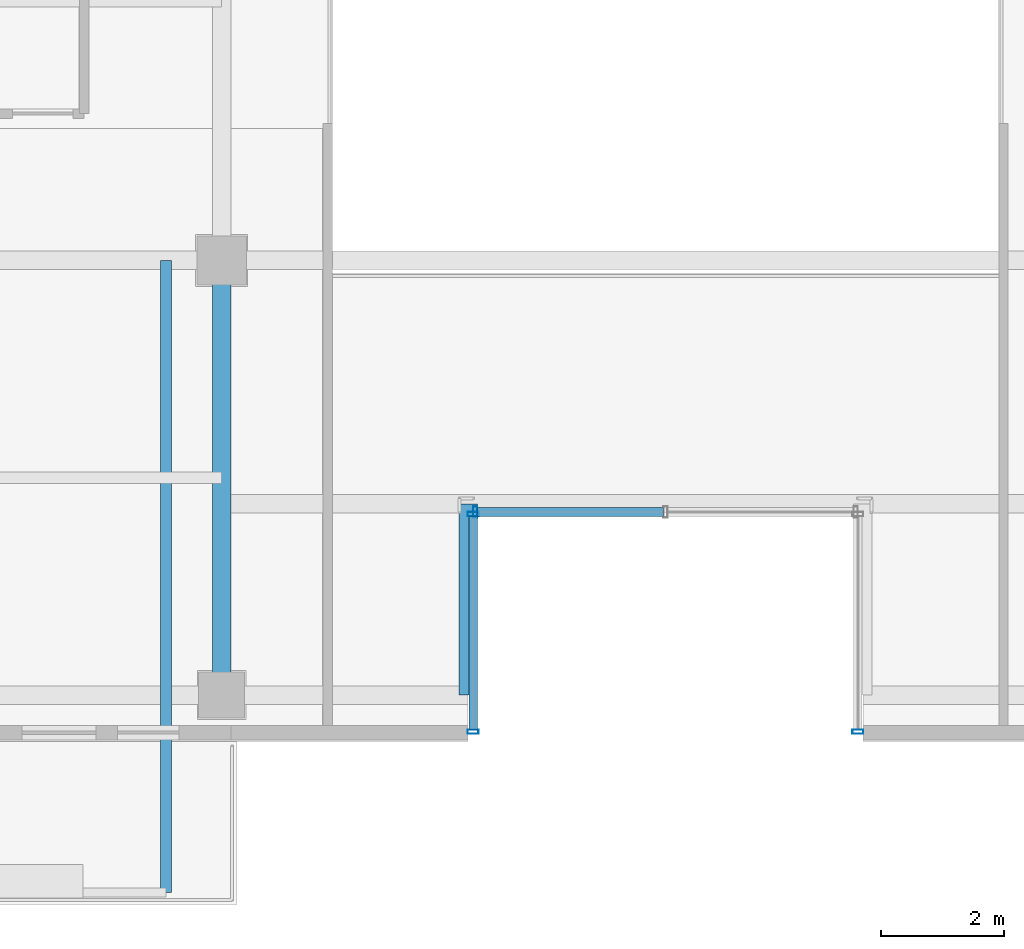
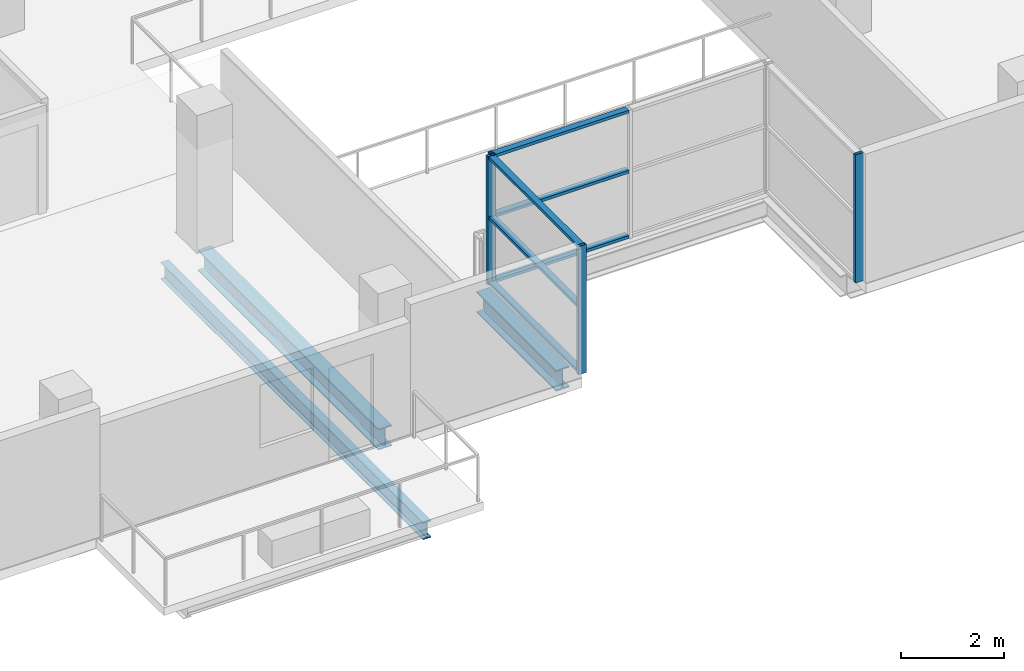
# One storey, part 2 of 22: 10 members, 3 beams, 3 elements without a shape of their own.
"""IFC4 building model written with IfcOpenShell, lengths in metres."""

from ifc_helpers import new_model, si_unit, direction, frame, origin, origin_2d, place, context, subcontext, project, spatial, hollow_rectangle, i_section, extrude, source, transform, mapped, material, layer, layer_set, material_profile, profile_set, type_object, element, aggregate, save


model = new_model("IFC4")

# Units and contexts
model_context = context("Model", 3, precision=1e-05, world=origin(), true_north=direction((0.0, 1.0)))
body_context = subcontext(model_context, "Body", "Model", "MODEL_VIEW")
ifc_project = project(units=[si_unit("LENGTHUNIT", "METRE"), si_unit("AREAUNIT", "SQUARE_METRE"), si_unit("VOLUMEUNIT", "CUBIC_METRE"), si_unit("PLANEANGLEUNIT", "RADIAN"), si_unit("MASSUNIT", "GRAM", prefix="KILO")], contexts=[model_context])

# Site, building, storey
site_placement = place(None, origin())
site = spatial("IfcSite", under=ifc_project, at=site_placement, CompositionType="ELEMENT")
building_placement = place(site_placement, origin())
building = spatial("IfcBuilding", under=site, at=building_placement, Name="Zarnakvel Exchange Tower", CompositionType="ELEMENT")
storey_placement = place(building_placement, frame((0.0, 0.0, 192.39990234375)))
storey = spatial("IfcBuildingStorey", under=building, at=storey_placement, Name="L54", CompositionType="ELEMENT", Elevation=192.39990234375)

# Beams
ifc_material_1 = material(Name="Steel S355", Category="steel")
ifc_material_profile_1 = material_profile(ifc_material_1, i_section(OverallWidth=0.179931640625, OverallDepth=0.39990234375, WebThickness=0.008544921875, FlangeThickness=0.013427734375, FilletRadius=0.02099609375, at=origin_2d()))
ifc_profile_set_1 = profile_set([ifc_material_profile_1], Name="Steel S355")
beam_type_1 = type_object("IfcBeamType", Name="B-06", PredefinedType="JOIST", material=ifc_profile_set_1)
beam_1_placement = place(storey_placement, frame((-8.10009765625, -9.60009765625, -0.4248046875), z_axis=(0.0, -1.0, 0.0), x_axis=(1.0, 0.0, 0.0)))
element("IfcBeam", 1, at=beam_1_placement, inside=storey, type_object=beam_type_1, Name="L54 Continuous Back-Spanned Balcony Beam E", PredefinedType="JOIST", context=body_context, shape_type="SweptSolid", body=[
    extrude(i_section(OverallWidth=0.179931640625, OverallDepth=0.39990234375, WebThickness=0.008544921875, FlangeThickness=0.013427734375, FilletRadius=0.02099609375, at=origin_2d()), origin(), (0.0, 0.0, 1.0), 10.25),
])
ifc_material_profile_2 = material_profile(ifc_material_1, i_section(OverallWidth=0.300048828125, OverallDepth=0.5, WebThickness=0.014404296875, FlangeThickness=0.028076171875, FilletRadius=0.027099609375, at=origin_2d()))
ifc_profile_set_2 = profile_set([ifc_material_profile_2], Name="Steel S355")
beam_type_2 = type_object("IfcBeamType", Name="G-06", PredefinedType="BEAM", material=ifc_profile_set_2)
beam_2_placement = place(storey_placement, frame((-3.199951171875, -16.64990234375, -0.474853515625), z_axis=(0.0, 1.0, 0.0), x_axis=(-1.0, 0.0, 0.0)))
element("IfcBeam", 2, at=beam_2_placement, inside=storey, type_object=beam_type_2, Name="L54 South Slot West Cheek Beam", PredefinedType="BEAM", context=body_context, shape_type="SweptSolid", body=[
    extrude(i_section(OverallWidth=0.300048828125, OverallDepth=0.5, WebThickness=0.014404296875, FlangeThickness=0.028076171875, FilletRadius=0.027099609375, at=origin_2d()), origin(), (0.0, 0.0, 1.0), 3.099853515625),
])
beam_3_placement = place(storey_placement, frame((-7.199951171875, -16.64990234375, -0.474853515625), z_axis=(0.0, 1.0, 0.0), x_axis=(-1.0, 0.0, 0.0)))
element("IfcBeam", 3, at=beam_3_placement, inside=storey, type_object=beam_type_2, Name="L54 Tower N-S Frame Beam", PredefinedType="BEAM", context=body_context, shape_type="SweptSolid", body=[
    extrude(i_section(OverallWidth=0.300048828125, OverallDepth=0.5, WebThickness=0.014404296875, FlangeThickness=0.028076171875, FilletRadius=0.027099609375, at=origin_2d()), origin(), (0.0, 0.0, 1.0), 7.0498046875),
])

# Curtain wall, members
ifc_material_2 = material(Name="Architectural Bronze Anodised Aluminium", Category="aluminium")
ifc_layer = layer(ifc_material_2, 0.179931640625)
ifc_layer_set = layer_set([ifc_layer], Name="Architectural Bronze Anodised Aluminium")
curtain_wall_type = type_object("IfcCurtainWallType", Name="CW-05", PredefinedType="NOTDEFINED", material=ifc_layer_set)
curtain_wall_1_placement = place(storey_placement, origin())
curtain_wall_1 = element("IfcCurtainWall", 4, at=curtain_wall_1_placement, inside=storey, type_object=curtain_wall_type, Name="L54 Curtain Wall CW-L54-SLW (CW-05)", PredefinedType="NOTDEFINED")
ifc_material_profile_3 = material_profile(ifc_material_2, hollow_rectangle(XDim=0.179931640625, YDim=0.070068359375, WallThickness=0.00390625, at=origin_2d()))
ifc_profile_set_3 = profile_set([ifc_material_profile_3], Name="Architectural Bronze Anodised Aluminium")
member_type_1 = type_object("IfcMemberType", Name="CWM-05", PredefinedType="MULLION", material=ifc_profile_set_3)
shared_shape_1 = source(origin(), body_context, "Body", "SweptSolid", [
    extrude(hollow_rectangle(XDim=0.179931640625, YDim=0.070068359375, WallThickness=0.00390625, at=origin_2d()), origin(), (0.0, 0.0, 1.0), 3.05517578125),
])
member_1_placement = place(storey_placement, frame((-3.1201171875, -17.2451171875, 0.0), z_axis=(0.0, 0.0, 1.0), x_axis=(-1.0, 0.0, 0.0)))
member_1 = element("IfcMember", 5, at=member_1_placement, type_object=member_type_1, Name="CW-05 mullion 1", PredefinedType="MULLION", context=body_context, shape_type="MappedRepresentation", body=[
    mapped(shared_shape_1, transform((0.0, 0.0, 0.0), x_axis=(1.0, 0.0, 0.0), y_axis=(0.0, 1.0, 0.0), z_axis=(0.0, 0.0, 1.0), scale=1.0)),
])
member_2_placement = place(storey_placement, frame((-3.1201171875, -13.715087890625, 0.0), z_axis=(0.0, 0.0, 1.0), x_axis=(-1.0, 0.0, 0.0)))
member_2 = element("IfcMember", 6, at=member_2_placement, type_object=member_type_1, Name="CW-05 mullion 2", PredefinedType="MULLION", context=body_context, shape_type="MappedRepresentation", body=[
    mapped(shared_shape_1, transform((0.0, 0.0, 0.0), x_axis=(1.0, 0.0, 0.0), y_axis=(0.0, 1.0, 0.0), z_axis=(0.0, 0.0, 1.0), scale=1.0)),
])

# Curtain wall, member
curtain_wall_2_placement = place(storey_placement, origin())
curtain_wall_2 = element("IfcCurtainWall", 7, at=curtain_wall_2_placement, inside=storey, type_object=curtain_wall_type, Name="L54 Curtain Wall CW-L54-SLB (CW-05)", PredefinedType="NOTDEFINED")
member_3_placement = place(storey_placement, frame((-3.0849609375, -13.679931640625, 0.0), z_axis=(0.0, 0.0, 1.0), x_axis=(0.0, 1.0, 0.0)))
member_3 = element("IfcMember", 8, at=member_3_placement, type_object=member_type_1, Name="CW-05 mullion 1", PredefinedType="MULLION", context=body_context, shape_type="MappedRepresentation", body=[
    mapped(shared_shape_1, transform((0.0, 0.0, 0.0), x_axis=(1.0, 0.0, 0.0), y_axis=(0.0, 1.0, 0.0), z_axis=(0.0, 0.0, 1.0), scale=1.0)),
])

curtain_wall_3_placement = place(storey_placement, origin())
curtain_wall_3 = element("IfcCurtainWall", 9, at=curtain_wall_3_placement, inside=storey, type_object=curtain_wall_type, Name="L54 Curtain Wall CW-L54-SLE (CW-05)", PredefinedType="NOTDEFINED")
member_4_placement = place(storey_placement, frame((3.1201171875, -17.2451171875, 0.0), z_axis=(0.0, 0.0, 1.0), x_axis=(1.0, 0.0, 0.0)))
member_4 = element("IfcMember", 10, at=member_4_placement, type_object=member_type_1, Name="CW-05 mullion 2", PredefinedType="MULLION", context=body_context, shape_type="MappedRepresentation", body=[
    mapped(shared_shape_1, transform((0.0, 0.0, 0.0), x_axis=(1.0, 0.0, 0.0), y_axis=(0.0, 1.0, 0.0), z_axis=(0.0, 0.0, 1.0), scale=1.0)),
])
aggregate(curtain_wall_3, [member_4])

# Member
ifc_material_profile_4 = material_profile(ifc_material_2, hollow_rectangle(XDim=0.139892578125, YDim=0.070068359375, WallThickness=0.00390625, at=origin_2d()))
ifc_profile_set_4 = profile_set([ifc_material_profile_4], Name="Architectural Bronze Anodised Aluminium")
member_type_2 = type_object("IfcMemberType", Name="CWT-05", PredefinedType="USERDEFINED", material=ifc_profile_set_4)
shared_shape_2 = source(origin(), body_context, "Body", "SweptSolid", [
    extrude(hollow_rectangle(XDim=0.139892578125, YDim=0.070068359375, WallThickness=0.00390625, at=origin_2d()), origin(), (0.0, 0.0, 1.0), 3.4599609375),
])
member_5_placement = place(storey_placement, frame((-3.1201171875, -17.2099609375, 0.03515625), z_axis=(0.0, 1.0, 0.0), x_axis=(-1.0, 0.0, 0.0)))
member_5 = element("IfcMember", 11, at=member_5_placement, type_object=member_type_2, Name="CW-05 transom 1.1", ObjectType="TRANSOM", PredefinedType="USERDEFINED", context=body_context, shape_type="MappedRepresentation", body=[
    mapped(shared_shape_2, transform((0.0, 0.0, 0.0), x_axis=(1.0, 0.0, 0.0), y_axis=(0.0, 1.0, 0.0), z_axis=(0.0, 0.0, 1.0), scale=1.0)),
])

member_6_placement = place(storey_placement, frame((-3.1201171875, -17.2099609375, 1.588623046875), z_axis=(0.0, 1.0, 0.0), x_axis=(-1.0, 0.0, 0.0)))
member_6 = element("IfcMember", 12, at=member_6_placement, type_object=member_type_2, Name="CW-05 transom 1.2", ObjectType="TRANSOM", PredefinedType="USERDEFINED", context=body_context, shape_type="MappedRepresentation", body=[
    mapped(shared_shape_2, transform((0.0, 0.0, 0.0), x_axis=(1.0, 0.0, 0.0), y_axis=(0.0, 1.0, 0.0), z_axis=(0.0, 0.0, 1.0), scale=1.0)),
])

member_7_placement = place(storey_placement, frame((-3.1201171875, -17.2099609375, 3.02001953125), z_axis=(0.0, 1.0, 0.0), x_axis=(-1.0, 0.0, 0.0)))
member_7 = element("IfcMember", 13, at=member_7_placement, type_object=member_type_2, Name="CW-05 transom 1.3", ObjectType="TRANSOM", PredefinedType="USERDEFINED", context=body_context, shape_type="MappedRepresentation", body=[
    mapped(shared_shape_2, transform((0.0, 0.0, 0.0), x_axis=(1.0, 0.0, 0.0), y_axis=(0.0, 1.0, 0.0), z_axis=(0.0, 0.0, 1.0), scale=1.0)),
])

aggregate(curtain_wall_1, [member_1, member_2, member_5, member_6, member_7])

shared_shape_3 = source(origin(), body_context, "Body", "SweptSolid", [
    extrude(hollow_rectangle(XDim=0.139892578125, YDim=0.070068359375, WallThickness=0.00390625, at=origin_2d()), origin(), (0.0, 0.0, 1.0), 3.01513671875),
])
member_8_placement = place(storey_placement, frame((-3.050048828125, -13.679931640625, 0.03515625), z_axis=(1.0, 0.0, 0.0), x_axis=(0.0, 1.0, 0.0)))
member_8 = element("IfcMember", 14, at=member_8_placement, type_object=member_type_2, Name="CW-05 transom 1.1", ObjectType="TRANSOM", PredefinedType="USERDEFINED", context=body_context, shape_type="MappedRepresentation", body=[
    mapped(shared_shape_3, transform((0.0, 0.0, 0.0), x_axis=(1.0, 0.0, 0.0), y_axis=(0.0, 1.0, 0.0), z_axis=(0.0, 0.0, 1.0), scale=1.0)),
])

member_9_placement = place(storey_placement, frame((-3.050048828125, -13.679931640625, 1.588623046875), z_axis=(1.0, 0.0, 0.0), x_axis=(0.0, 1.0, 0.0)))
member_9 = element("IfcMember", 15, at=member_9_placement, type_object=member_type_2, Name="CW-05 transom 1.2", ObjectType="TRANSOM", PredefinedType="USERDEFINED", context=body_context, shape_type="MappedRepresentation", body=[
    mapped(shared_shape_3, transform((0.0, 0.0, 0.0), x_axis=(1.0, 0.0, 0.0), y_axis=(0.0, 1.0, 0.0), z_axis=(0.0, 0.0, 1.0), scale=1.0)),
])

member_10_placement = place(storey_placement, frame((-3.050048828125, -13.679931640625, 3.02001953125), z_axis=(1.0, 0.0, 0.0), x_axis=(0.0, 1.0, 0.0)))
member_10 = element("IfcMember", 16, at=member_10_placement, type_object=member_type_2, Name="CW-05 transom 1.3", ObjectType="TRANSOM", PredefinedType="USERDEFINED", context=body_context, shape_type="MappedRepresentation", body=[
    mapped(shared_shape_3, transform((0.0, 0.0, 0.0), x_axis=(1.0, 0.0, 0.0), y_axis=(0.0, 1.0, 0.0), z_axis=(0.0, 0.0, 1.0), scale=1.0)),
])

aggregate(curtain_wall_2, [member_3, member_8, member_9, member_10])

save(model, "model.ifc")
